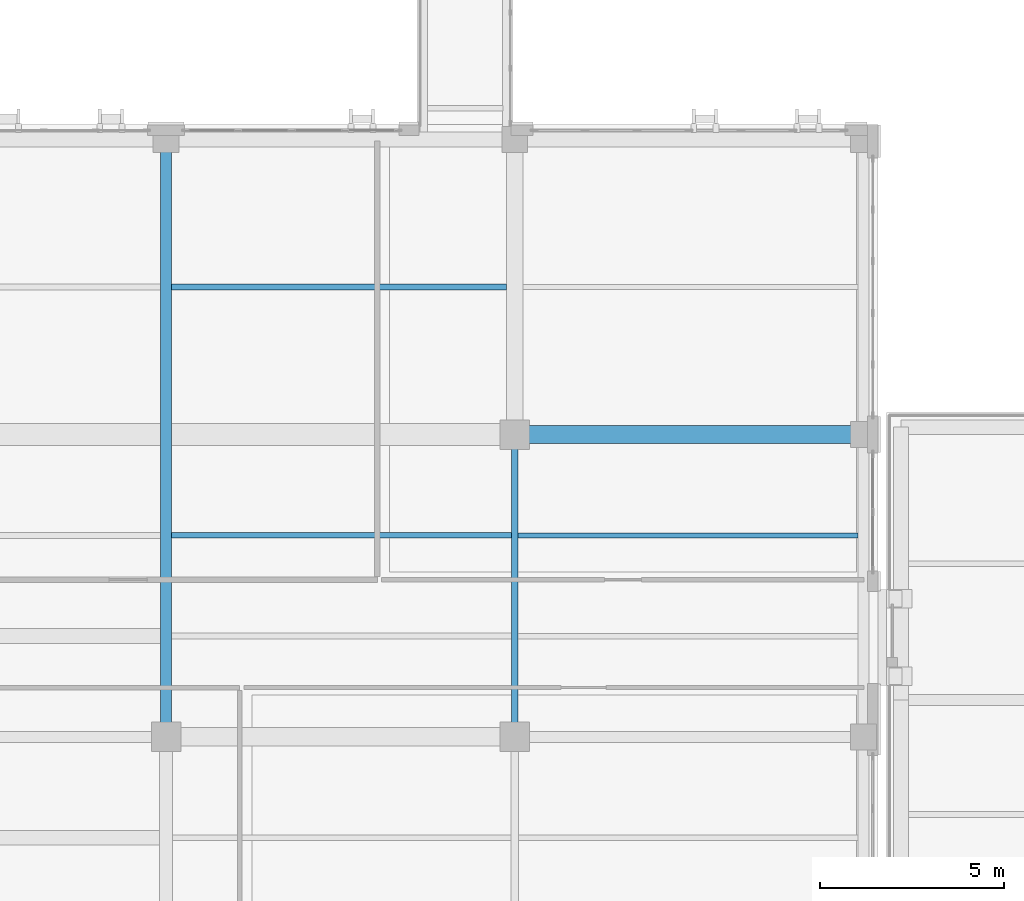
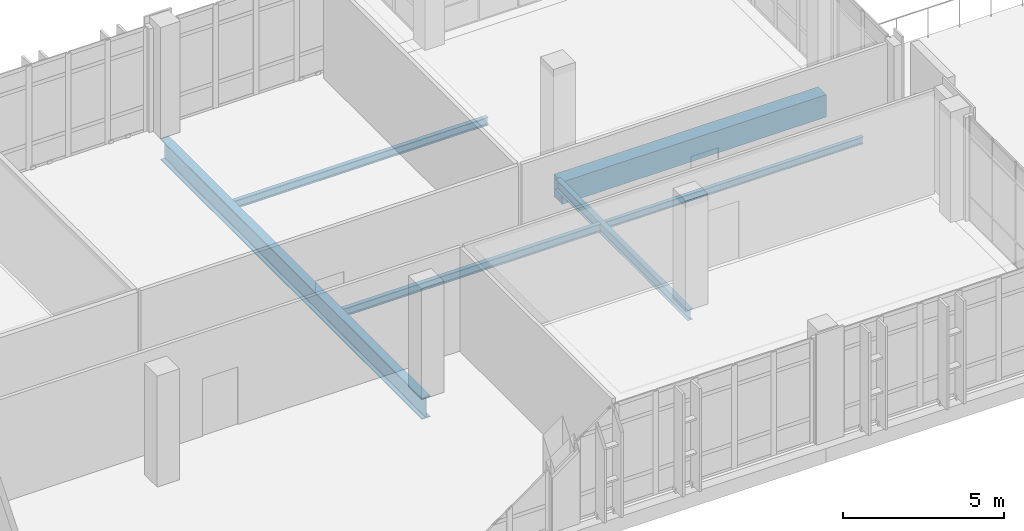
# One storey, part 43 of 165: 6 beams.
"""IFC4 building model written with IfcOpenShell, lengths in metres."""

from ifc_helpers import new_model, si_unit, direction, frame, origin, origin_2d, place, context, subcontext, project, spatial, rectangle, i_section, extrude, material, material_profile, profile_set, type_object, element, save


model = new_model("IFC4")

# Units and contexts
model_context = context("Model", 3, precision=1e-05, world=origin(), true_north=direction((0.0, 1.0)))
body_context = subcontext(model_context, "Body", "Model", "MODEL_VIEW")
ifc_project = project(units=[si_unit("LENGTHUNIT", "METRE"), si_unit("AREAUNIT", "SQUARE_METRE"), si_unit("VOLUMEUNIT", "CUBIC_METRE"), si_unit("PLANEANGLEUNIT", "RADIAN"), si_unit("MASSUNIT", "GRAM", prefix="KILO")], contexts=[model_context])

# Site, building, storey
site_placement = place(None, origin())
site = spatial("IfcSite", under=ifc_project, at=site_placement, CompositionType="ELEMENT")
building_placement = place(site_placement, origin())
building = spatial("IfcBuilding", under=site, at=building_placement, Name="Qalavern Law Courts", CompositionType="ELEMENT")
storey_placement = place(building_placement, frame((0.0, 0.0, 14.39990234375)))
storey = spatial("IfcBuildingStorey", under=building, at=storey_placement, Name="L03", CompositionType="ELEMENT", Elevation=14.39990234375)

# Beams
ifc_material_1 = material(Name="Steel S355", Category="steel")
ifc_material_profile_1 = material_profile(ifc_material_1, i_section(OverallWidth=0.300048828125, OverallDepth=0.800048828125, WebThickness=0.017578125, FlangeThickness=0.032958984375, FilletRadius=0.030029296875, at=origin_2d()), Name="HEB 800")
ifc_profile_set_1 = profile_set([ifc_material_profile_1], Name="Steel S355")
beam_type_1 = type_object("IfcBeamType", Name="STR-BM-HEB800", PredefinedType="BEAM", material=ifc_profile_set_1)
beam_1_placement = place(storey_placement, frame((81.891357421875, 13.800048828125, -0.684814453125), z_axis=(0.0, 1.0, 0.0), x_axis=(-1.0, 0.0, 0.0)))
element("IfcBeam", 1, at=beam_1_placement, inside=storey, type_object=beam_type_1, Name="V2 Y-beam 6-2 L03", PredefinedType="BEAM", context=body_context, shape_type="SweptSolid", body=[
    extrude(i_section(OverallWidth=0.300048828125, OverallDepth=0.800048828125, WebThickness=0.017578125, FlangeThickness=0.032958984375, FilletRadius=0.030029296875, at=origin_2d()), origin(), (0.0, 0.0, 1.0), 16.199951171875),
])
ifc_material_profile_2 = material_profile(ifc_material_1, i_section(OverallWidth=0.179931640625, OverallDepth=0.39990234375, WebThickness=0.008544921875, FlangeThickness=0.013427734375, FilletRadius=0.02099609375, at=origin_2d()), Name="IPE 400")
ifc_profile_set_2 = profile_set([ifc_material_profile_2], Name="Steel S355")
beam_type_2 = type_object("IfcBeamType", Name="STR-BM-IPE400", PredefinedType="BEAM", material=ifc_profile_set_2)
beam_2_placement = place(storey_placement, frame((91.345703125, 13.800048828125, -0.48486328125), z_axis=(0.0, 1.0, 0.0), x_axis=(-1.0, 0.0, 0.0)))
element("IfcBeam", 2, at=beam_2_placement, inside=storey, type_object=beam_type_2, Name="V2 Y-beam 7-2 L03", PredefinedType="BEAM", context=body_context, shape_type="SweptSolid", body=[
    extrude(i_section(OverallWidth=0.179931640625, OverallDepth=0.39990234375, WebThickness=0.008544921875, FlangeThickness=0.013427734375, FilletRadius=0.02099609375, at=origin_2d()), origin(), (0.0, 0.0, 1.0), 8.199951171875),
])
ifc_material_2 = material(Name="Concrete C40/50", Category="concrete")
ifc_material_profile_3 = material_profile(ifc_material_2, rectangle(XDim=0.5, YDim=0.85009765625, at=origin_2d()), Name="RC 500x850")
ifc_profile_set_3 = profile_set([ifc_material_profile_3], Name="Concrete C40/50")
beam_type_3 = type_object("IfcBeamType", Name="STR-BM-RC500x850", PredefinedType="BEAM", material=ifc_profile_set_3)
beam_3_placement = place(storey_placement, frame((91.345703125, 22.0, -0.7099609375), z_axis=(1.0, 0.0, 0.0), x_axis=(0.0, 1.0, 0.0)))
element("IfcBeam", 3, at=beam_3_placement, inside=storey, type_object=beam_type_3, Name="V2 X-beam 3-3 L03", PredefinedType="BEAM", context=body_context, shape_type="SweptSolid", body=[
    extrude(rectangle(XDim=0.5, YDim=0.85009765625, at=origin_2d()), origin(), (0.0, 0.0, 1.0), 9.454345703125),
])
ifc_material_profile_4 = material_profile(ifc_material_1, i_section(OverallWidth=0.135009765625, OverallDepth=0.27001953125, WebThickness=0.006591796875, FlangeThickness=0.01025390625, FilletRadius=0.014892578125, at=origin_2d()), Name="IPE 270")
ifc_profile_set_4 = profile_set([ifc_material_profile_4], Name="Steel S355")
beam_type_4 = type_object("IfcBeamType", Name="STR-JST-IPE270", PredefinedType="JOIST", material=ifc_profile_set_4)
beam_4_placement = place(storey_placement, frame((91.43359375, 19.2666015625, -0.419921875), z_axis=(1.0, 0.0, 0.0), x_axis=(0.0, 1.0, 0.0)))
element("IfcBeam", 4, at=beam_4_placement, inside=storey, type_object=beam_type_4, Name="V2 secondary joist 7.2.2 L03", PredefinedType="JOIST", context=body_context, shape_type="SweptSolid", body=[
    extrude(i_section(OverallWidth=0.135009765625, OverallDepth=0.27001953125, WebThickness=0.006591796875, FlangeThickness=0.01025390625, FilletRadius=0.014892578125, at=origin_2d()), origin(), (0.0, 0.0, 1.0), 9.218505859375),
])
ifc_material_profile_5 = material_profile(ifc_material_1, i_section(OverallWidth=0.14990234375, OverallDepth=0.300048828125, WebThickness=0.007080078125, FlangeThickness=0.0107421875, FilletRadius=0.014892578125, at=origin_2d()), Name="IPE 300")
ifc_profile_set_5 = profile_set([ifc_material_profile_5], Name="Steel S355")
beam_type_5 = type_object("IfcBeamType", Name="STR-JST-IPE300", PredefinedType="JOIST", material=ifc_profile_set_5)
beam_5_placement = place(storey_placement, frame((82.039306640625, 19.2666015625, -0.434814453125), z_axis=(1.0, 0.0, 0.0), x_axis=(0.0, 1.0, 0.0)))
element("IfcBeam", 5, at=beam_5_placement, inside=storey, type_object=beam_type_5, Name="V2 secondary joist 6.2.2 L03", PredefinedType="JOIST", context=body_context, shape_type="SweptSolid", body=[
    extrude(i_section(OverallWidth=0.14990234375, OverallDepth=0.300048828125, WebThickness=0.007080078125, FlangeThickness=0.0107421875, FilletRadius=0.014892578125, at=origin_2d()), origin(), (0.0, 0.0, 1.0), 9.218505859375),
])
beam_6_placement = place(storey_placement, frame((82.039306640625, 26.0, -0.434814453125), z_axis=(1.0, 0.0, 0.0), x_axis=(0.0, 1.0, 0.0)))
element("IfcBeam", 6, at=beam_6_placement, inside=storey, type_object=beam_type_5, Name="V2 secondary joist 6.3.1 L03", PredefinedType="JOIST", context=body_context, shape_type="SweptSolid", body=[
    extrude(i_section(OverallWidth=0.14990234375, OverallDepth=0.300048828125, WebThickness=0.007080078125, FlangeThickness=0.0107421875, FilletRadius=0.014892578125, at=origin_2d()), origin(), (0.0, 0.0, 1.0), 9.08349609375),
])

save(model, "model.ifc")
